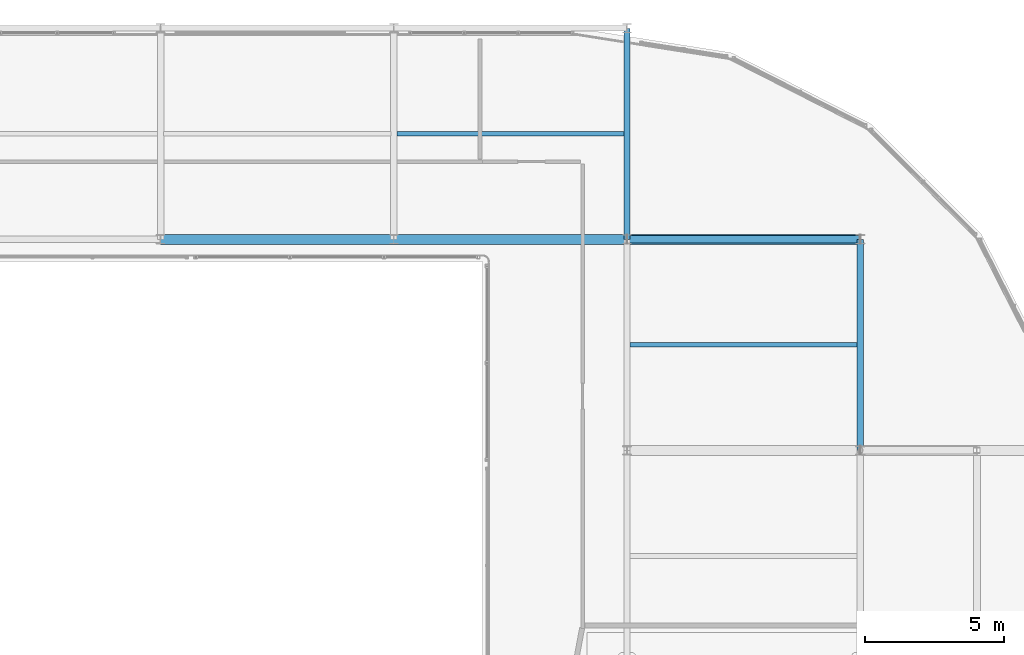
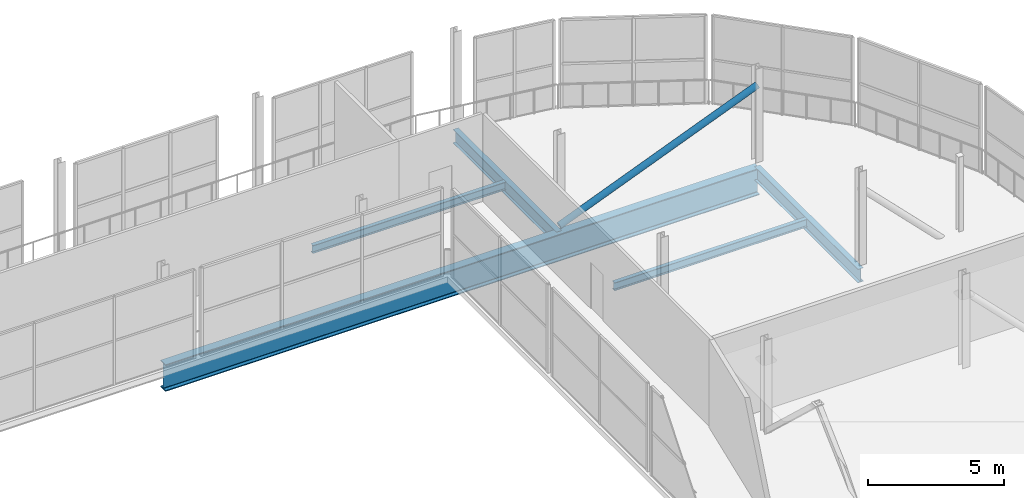
# One storey, part 104 of 151: 5 beams, 1 member.
"""IFC4 building model written with IfcOpenShell, lengths in metres."""

from ifc_helpers import new_model, si_unit, direction, frame, origin, origin_2d, place, context, subcontext, project, spatial, hollow_circle, i_section, extrude, material, material_profile, profile_set, type_object, element, save


model = new_model("IFC4")

# Units and contexts
model_context = context("Model", 3, precision=1e-05, world=origin(), true_north=direction((0.0, 1.0)))
body_context = subcontext(model_context, "Body", "Model", "MODEL_VIEW")
ifc_project = project(units=[si_unit("LENGTHUNIT", "METRE"), si_unit("AREAUNIT", "SQUARE_METRE"), si_unit("VOLUMEUNIT", "CUBIC_METRE"), si_unit("PLANEANGLEUNIT", "RADIAN"), si_unit("MASSUNIT", "GRAM", prefix="KILO")], contexts=[model_context])

# Site, building, storey
site_placement = place(None, origin())
site = spatial("IfcSite", under=ifc_project, at=site_placement, CompositionType="ELEMENT")
building_placement = place(site_placement, origin())
building = spatial("IfcBuilding", under=site, at=building_placement, Name="Zuvorla Pavilion Media Centre", CompositionType="ELEMENT")
storey_placement = place(building_placement, frame((0.0, 0.0, 13.800048828125)))
storey = spatial("IfcBuildingStorey", under=building, at=storey_placement, Name="L03", CompositionType="ELEMENT", Elevation=13.800048828125)

# Beams
ifc_material = material(Name="Steel S355", Category="steel")
ifc_material_profile_1 = material_profile(ifc_material, i_section(OverallWidth=0.360107421875, OverallDepth=1.199951171875, WebThickness=0.02001953125, FlangeThickness=0.0380859375, FilletRadius=0.02392578125, at=origin_2d()), Name="PG 1200x360x38")
ifc_profile_set_1 = profile_set([ifc_material_profile_1], Name="Steel S355")
beam_type_1 = type_object("IfcBeamType", Name="BM-PG1200", PredefinedType="BEAM", material=ifc_profile_set_1)
beam_1_placement = place(storey_placement, frame((142.39990234375, 82.0, -0.858154296875), z_axis=(1.0, 0.0, 0.0), x_axis=(0.0, 1.0, 0.0)))
element("IfcBeam", 1, at=beam_1_placement, inside=storey, type_object=beam_type_1, Name="L03 beam B01 1694", PredefinedType="BEAM", context=body_context, shape_type="SweptSolid", body=[
    extrude(i_section(OverallWidth=0.360107421875, OverallDepth=1.199951171875, WebThickness=0.02001953125, FlangeThickness=0.0380859375, FilletRadius=0.02392578125, at=origin_2d()), origin(), (0.0, 0.0, 1.0), 25.2001953125),
])
ifc_material_profile_2 = material_profile(ifc_material, i_section(OverallWidth=0.172119140625, OverallDepth=0.35791015625, WebThickness=0.008056640625, FlangeThickness=0.012939453125, FilletRadius=0.01025390625, at=origin_2d()), Name="UB 356x171x57")
ifc_profile_set_2 = profile_set([ifc_material_profile_2], Name="Steel S355")
beam_type_2 = type_object("IfcBeamType", Name="BM-UB356", PredefinedType="JOIST", material=ifc_profile_set_2)
beam_2_placement = place(storey_placement, frame((150.909423828125, 85.800048828125, -0.43701171875), z_axis=(1.0, 0.0, 0.0), x_axis=(0.0, 1.0, 0.0)))
element("IfcBeam", 2, at=beam_2_placement, inside=storey, type_object=beam_type_2, Name="L03 joist J03 1288", PredefinedType="JOIST", context=body_context, shape_type="SweptSolid", body=[
    extrude(i_section(OverallWidth=0.172119140625, OverallDepth=0.35791015625, WebThickness=0.008056640625, FlangeThickness=0.012939453125, FilletRadius=0.01025390625, at=origin_2d()), origin(), (0.0, 0.0, 1.0), 8.18115234375),
])
beam_3_placement = place(storey_placement, frame((159.3095703125, 78.199951171875, -0.43701171875), z_axis=(1.0, 0.0, 0.0), x_axis=(0.0, 1.0, 0.0)))
element("IfcBeam", 3, at=beam_3_placement, inside=storey, type_object=beam_type_2, Name="L03 joist J03 1292", PredefinedType="JOIST", context=body_context, shape_type="SweptSolid", body=[
    extrude(i_section(OverallWidth=0.172119140625, OverallDepth=0.35791015625, WebThickness=0.008056640625, FlangeThickness=0.012939453125, FilletRadius=0.01025390625, at=origin_2d()), origin(), (0.0, 0.0, 1.0), 8.180908203125),
])
ifc_material_profile_3 = material_profile(ifc_material, i_section(OverallWidth=0.22900390625, OverallDepth=0.6123046875, WebThickness=0.011962890625, FlangeThickness=0.01953125, FilletRadius=0.0126953125, at=origin_2d()), Name="UB 610x229x125")
ifc_profile_set_3 = profile_set([ifc_material_profile_3], Name="Steel S355")
beam_type_3 = type_object("IfcBeamType", Name="BM-UB610", PredefinedType="BEAM", material=ifc_profile_set_3)
for number, where, z_axis, x_axis, name in (
    (4, (159.199951171875, 82.0, -0.564208984375), (0.0, 1.0, 0.0), (-1.0, 0.0, 0.0), "L03 beam B07 1227"),
    (5, (167.60009765625, 74.39990234375, -0.564208984375), (0.0, 1.0, 0.0), (-1.0, 0.0, 0.0), "L03 beam B07 1231"),
):
    element("IfcBeam", number, at=place(storey_placement, frame(where, z_axis=z_axis, x_axis=x_axis)), inside=storey, type_object=beam_type_3, Name=name, PredefinedType="BEAM", context=body_context, shape_type="SweptSolid", body=[
        extrude(i_section(OverallWidth=0.22900390625, OverallDepth=0.6123046875, WebThickness=0.011962890625, FlangeThickness=0.01953125, FilletRadius=0.0126953125, at=origin_2d()), origin(), (0.0, 0.0, 1.0), 7.60009765625),
    ])

# Member
ifc_material_profile_4 = material_profile(ifc_material, hollow_circle(Radius=0.136474609375, WallThickness=0.012451171875, at=origin_2d()), Name="CHS 273x12.5")
ifc_profile_set_4 = profile_set([ifc_material_profile_4], Name="Steel S355")
member_type = type_object("IfcMemberType", Name="MEM-BRC-CHS273", PredefinedType="BRACE", material=ifc_profile_set_4)
member_placement = place(storey_placement, frame((159.199951171875, 82.0, 0.0), z_axis=(0.928484134927, 0.0, 0.371372065709), x_axis=(0.0, 1.0, 0.0)))
element("IfcMember", 6, at=member_placement, inside=storey, type_object=member_type, Name="L03 diagonal brace TB01 32", PredefinedType="BRACE", context=body_context, shape_type="SweptSolid", body=[
    extrude(hollow_circle(Radius=0.136474609375, WallThickness=0.012451171875, at=origin_2d()), origin(), (0.0, 0.0, 1.0), 9.047119140625),
])

save(model, "model.ifc")
